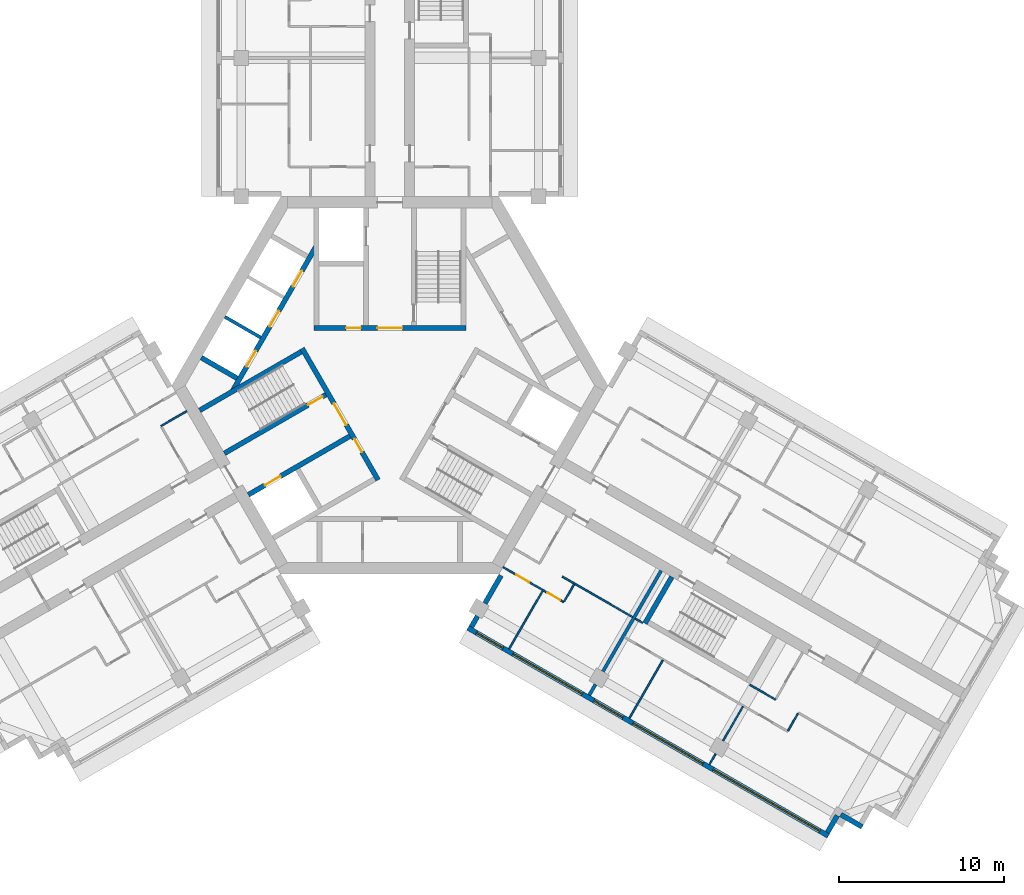
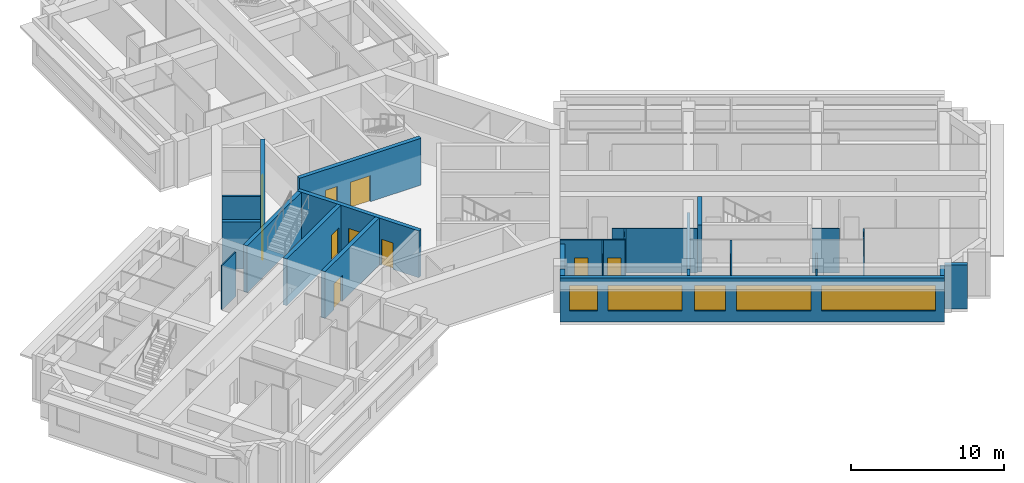
# One storey, part 4 of 10: 27 walls, 11 doors, 5 windows, 16 openings.
"""IFC4 building model written with IfcOpenShell, lengths in metres."""

import ifcopenshell
import ifcopenshell.guid

model = None  # the IFC model being written
_history = None  # IfcOwnerHistory: only IFC2X3 demands one
_inside = {}  # id of a spatial element -> (the spatial element, [elements in it])
_under = {}  # id of a project, library or spatial element -> (it, [spatial elements below it])
_declared = {}  # id of a project -> (the project, [libraries it declares])
_typed = {}  # id of a type object -> (the type object, [elements of that type])
_made_of = {}  # id of a material, layer set ... -> (it, [elements and type objects made of it])


def new_model(schema):
    """Start an empty IFC model of exactly this schema.

    Asked for "IFC4X3", IfcOpenShell would pick the latest addendum, in which some entities
    have other attributes; the version numbers below select the first issue.
    IFC2X3 requires an IfcOwnerHistory on every rooted entity: one is made here for all.
    """
    global model, _history
    if schema == "IFC4X3":
        model = ifcopenshell.file(schema_version=(4, 3, 0, 0))
    else:
        model = ifcopenshell.file(schema=schema)
    _inside.clear()
    _under.clear()
    _declared.clear()
    _typed.clear()
    _made_of.clear()
    _history = None
    if model.schema == "IFC2X3":
        org = make("IfcOrganization", Name="unknown")
        user = make(
            "IfcPersonAndOrganization",
            ThePerson=make("IfcPerson", FamilyName="unknown"),
            TheOrganization=org,
        )
        app = make(
            "IfcApplication",
            ApplicationDeveloper=org,
            Version="unknown",
            ApplicationFullName="unknown",
            ApplicationIdentifier="unknown",
        )
        _history = make(
            "IfcOwnerHistory",
            OwningUser=user,
            OwningApplication=app,
            ChangeAction="ADDED",
            CreationDate=0,
        )
    return model


def make(cls, **values):
    """One entity of the class cls with the attributes given. An attribute that is None is left unset."""
    return model.create_entity(
        cls, **{name: value for name, value in values.items() if value is not None}
    )


def rooted(cls, **values):
    """An entity with a GlobalId (a new one), such as an element, a storey or a relation."""
    return make(cls, GlobalId=ifcopenshell.guid.new(), OwnerHistory=_history, **values)


def si_unit(unit_type, name, prefix=None):
    """IfcSIUnit, for example si_unit("LENGTHUNIT", "METRE", prefix="MILLI")."""
    return make("IfcSIUnit", UnitType=unit_type, Prefix=prefix, Name=name)


def assignment(units):
    """IfcUnitAssignment: the units of a project."""
    return None if units is None else make("IfcUnitAssignment", Units=units)


def point(xyz):
    """IfcCartesianPoint."""
    return None if xyz is None else make("IfcCartesianPoint", Coordinates=xyz)


def direction(xyz):
    """IfcDirection."""
    return None if xyz is None else make("IfcDirection", DirectionRatios=xyz)


def frame(location, z_axis=None, x_axis=None):
    """IfcAxis2Placement3D, a coordinate frame: its origin and axes. An axis left out is left unset."""
    return make(
        "IfcAxis2Placement3D",
        Location=point(location),
        Axis=direction(z_axis),
        RefDirection=direction(x_axis),
    )


def frame_2d(location, x_axis=None):
    """IfcAxis2Placement2D, a coordinate frame in the plane: its origin and x axis."""
    return make(
        "IfcAxis2Placement2D", Location=point(location), RefDirection=direction(x_axis)
    )


def origin():
    """The frame at (0, 0, 0) with its axes left unset."""
    return frame((0.0, 0.0, 0.0))


def place(relative_to, where):
    """IfcLocalPlacement: puts the frame where relative to a parent placement (None: the world)."""
    return make(
        "IfcLocalPlacement", PlacementRelTo=relative_to, RelativePlacement=where
    )


def context(
    kind, dimensions, precision=None, world=None, true_north=None, identifier=None
):
    """IfcGeometricRepresentationContext, for example the 3D "Model" context."""
    return make(
        "IfcGeometricRepresentationContext",
        ContextIdentifier=identifier,
        ContextType=kind,
        CoordinateSpaceDimension=dimensions,
        Precision=precision,
        WorldCoordinateSystem=world,
        TrueNorth=true_north,
    )


def subcontext(parent, identifier, kind, view, scale=None):
    """IfcGeometricRepresentationSubContext, for example "Body" below "Model"."""
    return make(
        "IfcGeometricRepresentationSubContext",
        ContextIdentifier=identifier,
        ContextType=kind,
        ParentContext=parent,
        TargetScale=scale,
        TargetView=view,
    )


def project(units=None, contexts=None):
    """IfcProject with its units and contexts."""
    return rooted(
        "IfcProject",
        Name="project",
        RepresentationContexts=contexts,
        UnitsInContext=assignment(units),
    )


def spatial(cls, under=None, at=None, **own):
    """A site, building, storey or space (cls), placed at a placement, below another one or the project."""
    s = rooted(cls, ObjectPlacement=at, **own)
    if under is not None:
        _under.setdefault(under.id(), (under, []))[1].append(s)
    return s


def profile(cls, at=None, kind="AREA", **sizes):
    """A parametric profile (cls). Its sizes go by their IFC names, for example OverallWidth=200.0."""
    return make(cls, ProfileType=kind, Position=at, **sizes)


def rectangle(**sizes):
    """IfcRectangleProfileDef."""
    return profile("IfcRectangleProfileDef", **sizes)


def extrude(swept, where, along, depth):
    """IfcExtrudedAreaSolid: the profile swept, set in the frame where, extruded along a direction by depth."""
    return make(
        "IfcExtrudedAreaSolid",
        SweptArea=swept,
        Position=where,
        ExtrudedDirection=direction(along),
        Depth=depth,
    )


def shape(context_of_items, identifier, shape_type, items):
    """IfcShapeRepresentation: the items that make up one representation, for example the "Body"."""
    return make(
        "IfcShapeRepresentation",
        ContextOfItems=context_of_items,
        RepresentationIdentifier=identifier,
        RepresentationType=shape_type,
        Items=items,
    )


def material(Name=None, Category=None):
    """IfcMaterial."""
    return make("IfcMaterial", Name=Name, Category=Category)


def layer(
    of_material, thickness, ventilated=None, Name=None, Category=None, Priority=None
):
    """IfcMaterialLayer: one layer of a wall or slab, of a material (None: an air gap)."""
    return make(
        "IfcMaterialLayer",
        Material=of_material,
        LayerThickness=thickness,
        IsVentilated=ventilated,
        Name=Name,
        Category=Category,
        Priority=Priority,
    )


def layer_set(layers, Name=None):
    """IfcMaterialLayerSet."""
    return make("IfcMaterialLayerSet", MaterialLayers=layers, LayerSetName=Name)


def made_of(thing, what):
    """Note that an element or type object is made of a material, layer set ...; save() writes the relation."""
    if what is not None:
        _made_of.setdefault(what.id(), (what, []))[1].append(thing)
    return thing


def type_object(cls, material=None, **own):
    """A type object (cls), such as IfcWallType, which elements share."""
    return made_of(rooted(cls, **own), material)


def element(
    cls,
    number,
    at=None,
    inside=None,
    cuts=None,
    type_object=None,
    material=None,
    context=None,
    identifier="Body",
    shape_type=None,
    held_by="IfcProductDefinitionShape",
    body=None,
    shapes=None,
    **own,
):
    """One element of the class cls, such as IfcWall. Its Tag is "e" and its number.

    at: its placement. inside: the storey or other place that contains it. cuts: it is an
    opening in that element (IfcRelVoidsElement). A single representation is given by context,
    identifier, shape_type and body (its items); several are given by shapes. held_by: the class
    of the entity that holds the representations. save() writes the other relations.
    """
    e = rooted(cls, Tag="e%d" % number, ObjectPlacement=at, **own)
    if body is not None:
        shapes = [shape(context, identifier, shape_type, body)]
    if shapes is not None:
        e.Representation = make(held_by, Representations=shapes)
    if inside is not None:
        _inside.setdefault(inside.id(), (inside, []))[1].append(e)
    if cuts is not None:
        rooted(
            "IfcRelVoidsElement", RelatingBuildingElement=cuts, RelatedOpeningElement=e
        )
    if type_object is not None:
        _typed.setdefault(type_object.id(), (type_object, []))[1].append(e)
    return made_of(e, material)


def fill(opening, filler):
    """IfcRelFillsElement: the door or window that sits in an opening."""
    return rooted(
        "IfcRelFillsElement",
        RelatingOpeningElement=opening,
        RelatedBuildingElement=filler,
    )


def aggregate(whole, parts):
    """IfcRelAggregates: a whole, such as a stair, and the parts it consists of."""
    return rooted("IfcRelAggregates", RelatingObject=whole, RelatedObjects=parts)


def save(model, path):
    """Write the relations noted so far, then the file.

    IfcRelAggregates (storeys below a building ...), IfcRelContainedInSpatialStructure (elements
    in a storey), IfcRelDefinesByType, IfcRelAssociatesMaterial and IfcRelDeclares: one each for
    every whole, place, type object, material and project.
    """
    for whole, parts in _under.values():
        aggregate(whole, parts)
    for where, things in _inside.values():
        rooted(
            "IfcRelContainedInSpatialStructure",
            RelatedElements=things,
            RelatingStructure=where,
        )
    for kind, things in _typed.values():
        rooted("IfcRelDefinesByType", RelatedObjects=things, RelatingType=kind)
    for what, things in _made_of.values():
        rooted("IfcRelAssociatesMaterial", RelatedObjects=things, RelatingMaterial=what)
    for by, libraries in _declared.values():
        rooted("IfcRelDeclares", RelatingContext=by, RelatedDefinitions=libraries)
    model.write(path)


model = new_model("IFC4")

# Units and contexts
model_context = context("Model", 3, precision=1e-05, world=origin(), true_north=direction((0.0, 1.0)))
body_context = subcontext(model_context, "Body", "Model", "MODEL_VIEW")
ifc_project = project(units=[si_unit("LENGTHUNIT", "METRE"), si_unit("AREAUNIT", "SQUARE_METRE"), si_unit("VOLUMEUNIT", "CUBIC_METRE"), si_unit("PLANEANGLEUNIT", "RADIAN"), si_unit("MASSUNIT", "GRAM", prefix="KILO")], contexts=[model_context])

# Site, building, storey
site_placement = place(None, origin())
site = spatial("IfcSite", under=ifc_project, at=site_placement, CompositionType="ELEMENT")
building_placement = place(site_placement, origin())
building = spatial("IfcBuilding", under=site, at=building_placement, Name="Impinga Residences", CompositionType="ELEMENT")
storey_placement = place(building_placement, frame((0.0, 0.0, 226.0)))
storey = spatial("IfcBuildingStorey", under=building, at=storey_placement, Name="L56", CompositionType="ELEMENT", Elevation=226.0)

# Walls
ifc_material_1 = material(Name="Terracotta rainscreen on blockwork", Category="masonry")
ifc_layer_1 = layer(ifc_material_1, 0.300048828125)
ifc_layer_set_1 = layer_set([ifc_layer_1], Name="EW1 external wall, terracotta rainscreen on blockwork 300")
wall_type_1 = type_object("IfcWallType", Name="EW1 external wall, terracotta rainscreen on blockwork 300", PredefinedType="SOLIDWALL", material=ifc_layer_set_1)
wall_1_placement = place(storey_placement, frame((28.597900390625, -26.72998046875, 0.0), z_axis=(0.0, 0.0, 1.0), x_axis=(-0.866031096941, 0.499990139034, 0.0)))
element("IfcWall", 1, at=wall_1_placement, inside=storey, type_object=wall_type_1, Name="External wall EW1 L56", PredefinedType="SOLIDWALL", context=body_context, shape_type="SweptSolid", body=[
    extrude(rectangle(XDim=1.5, YDim=0.300048828125, at=frame_2d((0.75, 0.0))), origin(), (0.0, 0.0, 1.0), 3.530029296875),
])
wall_2_placement = place(storey_placement, frame((27.091552734375, -26.039306640625, 0.0), z_axis=(0.0, 0.0, 1.0), x_axis=(-0.500093796661, -0.865971243484, 0.0)))
element("IfcWall", 2, at=wall_2_placement, inside=storey, type_object=wall_type_1, Name="External wall EW1 L56", PredefinedType="SOLIDWALL", context=body_context, shape_type="SweptSolid", body=[
    extrude(rectangle(XDim=1.195068359375, YDim=0.300048828125, at=frame_2d((0.59765625, 0.0))), origin(), (0.0, 0.0, 1.0), 3.530029296875),
])

# Wall, openings, windows
wall_3_placement = place(storey_placement, frame((26.548828125, -27.279052734375, 0.0), z_axis=(0.0, 0.0, 1.0), x_axis=(-0.866026832479, 0.499997525421, 0.0)))
wall_3 = element("IfcWall", 3, at=wall_3_placement, inside=storey, type_object=wall_type_1, Name="External wall EW1 L56", PredefinedType="SOLIDWALL", context=body_context, shape_type="SweptSolid", body=[
    extrude(rectangle(XDim=25.199951171875, YDim=0.300048828125, at=frame_2d((12.60009765625, 0.0))), origin(), (0.0, 0.0, 1.0), 3.530029296875),
])
opening_1_placement = place(wall_3_placement, frame((0.60009765625, 0.0, 0.89990234375)))
opening_1 = element("IfcOpeningElement", 4, at=opening_1_placement, cuts=wall_3, Name="Opening W7", PredefinedType="OPENING", context=body_context, shape_type="SweptSolid", body=[
    extrude(rectangle(XDim=7.449951171875, YDim=2.050048828125, at=frame_2d((3.72509765625, 1.02490234375))), frame((0.0, 0.159912109375, 0.0), z_axis=(0.0, -1.0, 0.0), x_axis=(1.0, 0.0, 0.0)), (0.0, 0.0, 1.0), 0.320068359375),
])
opening_2_placement = place(wall_3_placement, frame((8.75, 0.0, 0.89990234375)))
opening_2 = element("IfcOpeningElement", 5, at=opening_2_placement, cuts=wall_3, Name="Opening W16", PredefinedType="OPENING", context=body_context, shape_type="SweptSolid", body=[
    extrude(rectangle(XDim=4.89990234375, YDim=2.050048828125, at=frame_2d((2.449951171875, 1.02490234375))), frame((0.0, 0.159912109375, 0.0), z_axis=(0.0, -1.0, 0.0), x_axis=(1.0, 0.0, 0.0)), (0.0, 0.0, 1.0), 0.320068359375),
])
opening_3_placement = place(wall_3_placement, frame((14.35009765625, 0.0, 0.89990234375)))
opening_3 = element("IfcOpeningElement", 6, at=opening_3_placement, cuts=wall_3, Name="Opening W14", PredefinedType="OPENING", context=body_context, shape_type="SweptSolid", body=[
    extrude(rectangle(XDim=2.050048828125, YDim=2.050048828125, at=frame_2d((1.02490234375, 1.02490234375))), frame((0.0, 0.159912109375, 0.0), z_axis=(0.0, -1.0, 0.0), x_axis=(1.0, 0.0, 0.0)), (0.0, 0.0, 1.0), 0.320068359375),
])
opening_4_placement = place(wall_3_placement, frame((17.199951171875, 0.0, 0.89990234375)))
opening_4 = element("IfcOpeningElement", 7, at=opening_4_placement, cuts=wall_3, Name="Opening W6", PredefinedType="OPENING", context=body_context, shape_type="SweptSolid", body=[
    extrude(rectangle(XDim=4.85009765625, YDim=2.050048828125, at=frame_2d((2.425048828125, 1.02490234375))), frame((0.0, 0.159912109375, 0.0), z_axis=(0.0, -1.0, 0.0), x_axis=(1.0, 0.0, 0.0)), (0.0, 0.0, 1.0), 0.320068359375),
])
opening_5_placement = place(wall_3_placement, frame((22.75, 0.0, 0.89990234375)))
opening_5 = element("IfcOpeningElement", 8, at=opening_5_placement, cuts=wall_3, Name="Opening W15", PredefinedType="OPENING", context=body_context, shape_type="SweptSolid", body=[
    extrude(rectangle(XDim=1.85009765625, YDim=2.050048828125, at=frame_2d((0.925048828125, 1.02490234375))), frame((0.0, 0.159912109375, 0.0), z_axis=(0.0, -1.0, 0.0), x_axis=(1.0, 0.0, 0.0)), (0.0, 0.0, 1.0), 0.320068359375),
])
ifc_material_2 = material(Name="Aluminium window, clear double glazing", Category="aluminium")
window_type_1 = type_object("IfcWindowType", Name="W14 ribbon window 2050x2050", PartitioningType="SINGLE_PANEL", PredefinedType="WINDOW", material=ifc_material_2)
window_1_placement = place(opening_3_placement, origin())
window_1 = element("IfcWindow", 9, at=window_1_placement, inside=storey, type_object=window_type_1, Name="Window L56", OverallHeight=2.050048828125, OverallWidth=2.050048828125, PartitioningType="SINGLE_PANEL", PredefinedType="WINDOW", context=body_context, shape_type="SweptSolid", body=[
    extrude(rectangle(XDim=2.050048828125, YDim=2.050048828125, at=frame_2d((1.02490234375, 1.02490234375))), frame((0.0, 0.030029296875, 0.0), z_axis=(0.0, -1.0, 0.0), x_axis=(1.0, 0.0, 0.0)), (0.0, 0.0, 1.0), 0.06005859375),
])
fill(opening_3, window_1)
window_type_2 = type_object("IfcWindowType", Name="W15 ribbon window 1850x2050", PartitioningType="SINGLE_PANEL", PredefinedType="WINDOW", material=ifc_material_2)
window_2_placement = place(opening_5_placement, origin())
window_2 = element("IfcWindow", 10, at=window_2_placement, inside=storey, type_object=window_type_2, Name="Window L56", OverallHeight=2.050048828125, OverallWidth=1.85009765625, PartitioningType="SINGLE_PANEL", PredefinedType="WINDOW", context=body_context, shape_type="SweptSolid", body=[
    extrude(rectangle(XDim=1.85009765625, YDim=2.050048828125, at=frame_2d((0.925048828125, 1.02490234375))), frame((0.0, 0.030029296875, 0.0), z_axis=(0.0, -1.0, 0.0), x_axis=(1.0, 0.0, 0.0)), (0.0, 0.0, 1.0), 0.06005859375),
])
fill(opening_5, window_2)
window_type_3 = type_object("IfcWindowType", Name="W16 ribbon window 4900x2050", PartitioningType="SINGLE_PANEL", PredefinedType="WINDOW", material=ifc_material_2)
window_3_placement = place(opening_2_placement, origin())
window_3 = element("IfcWindow", 11, at=window_3_placement, inside=storey, type_object=window_type_3, Name="Window L56", OverallHeight=2.050048828125, OverallWidth=4.89990234375, PartitioningType="SINGLE_PANEL", PredefinedType="WINDOW", context=body_context, shape_type="SweptSolid", body=[
    extrude(rectangle(XDim=4.89990234375, YDim=2.050048828125, at=frame_2d((2.449951171875, 1.02490234375))), frame((0.0, 0.030029296875, 0.0), z_axis=(0.0, -1.0, 0.0), x_axis=(1.0, 0.0, 0.0)), (0.0, 0.0, 1.0), 0.06005859375),
])
fill(opening_2, window_3)
window_type_4 = type_object("IfcWindowType", Name="W6 ribbon window 4850x2050", PartitioningType="SINGLE_PANEL", PredefinedType="WINDOW", material=ifc_material_2)
window_4_placement = place(opening_4_placement, origin())
window_4 = element("IfcWindow", 12, at=window_4_placement, inside=storey, type_object=window_type_4, Name="Window L56", OverallHeight=2.050048828125, OverallWidth=4.85009765625, PartitioningType="SINGLE_PANEL", PredefinedType="WINDOW", context=body_context, shape_type="SweptSolid", body=[
    extrude(rectangle(XDim=4.85009765625, YDim=2.050048828125, at=frame_2d((2.425048828125, 1.02490234375))), frame((0.0, 0.030029296875, 0.0), z_axis=(0.0, -1.0, 0.0), x_axis=(1.0, 0.0, 0.0)), (0.0, 0.0, 1.0), 0.06005859375),
])
fill(opening_4, window_4)
window_type_5 = type_object("IfcWindowType", Name="W7 ribbon window 7450x2050", PartitioningType="SINGLE_PANEL", PredefinedType="WINDOW", material=ifc_material_2)
window_5_placement = place(opening_1_placement, origin())
window_5 = element("IfcWindow", 13, at=window_5_placement, inside=storey, type_object=window_type_5, Name="Window L56", OverallHeight=2.050048828125, OverallWidth=7.449951171875, PartitioningType="SINGLE_PANEL", PredefinedType="WINDOW", context=body_context, shape_type="SweptSolid", body=[
    extrude(rectangle(XDim=7.449951171875, YDim=2.050048828125, at=frame_2d((3.72509765625, 1.02490234375))), frame((0.0, 0.030029296875, 0.0), z_axis=(0.0, -1.0, 0.0), x_axis=(1.0, 0.0, 0.0)), (0.0, 0.0, 1.0), 0.06005859375),
])
fill(opening_1, window_5)

# Walls
wall_4_placement = place(storey_placement, frame((4.929931640625, -14.624267578125, 0.0), z_axis=(0.0, 0.0, 1.0), x_axis=(0.499919672301, 0.866071776036, 0.0)))
element("IfcWall", 14, at=wall_4_placement, inside=storey, type_object=wall_type_1, Name="External wall EW1 L56", PredefinedType="SOLIDWALL", context=body_context, shape_type="SweptSolid", body=[
    extrude(rectangle(XDim=0.75, YDim=0.300048828125, at=frame_2d((0.375, 0.0))), origin(), (0.0, 0.0, 1.0), 3.530029296875),
])
wall_5_placement = place(storey_placement, frame((5.7548828125, -13.1953125, 0.0), z_axis=(0.0, 0.0, 1.0), x_axis=(0.500043961785, 0.866000020948, 0.0)))
element("IfcWall", 15, at=wall_5_placement, inside=storey, type_object=wall_type_1, Name="External wall EW1 L56", PredefinedType="SOLIDWALL", context=body_context, shape_type="SweptSolid", body=[
    extrude(rectangle(XDim=1.949951171875, YDim=0.300048828125, at=frame_2d((0.97509765625, 0.0))), origin(), (0.0, 0.0, 1.0), 3.530029296875),
])
ifc_material_3 = material(Name="Gypsum board on steel studs", Category="steel")
ifc_layer_2 = layer(ifc_material_3, 0.10009765625)
ifc_layer_set_2 = layer_set([ifc_layer_2], Name="Gypsum board on steel studs")
wall_type_2 = type_object("IfcWallType", Name="IP1 partition 100", PredefinedType="PARTITIONING", material=ifc_layer_set_2)
wall_6_placement = place(storey_placement, frame((-12.300048828125, -1.558837890625, 0.0), z_axis=(0.0, 0.0, 1.0), x_axis=(-0.866047807691, -0.499961193289, 0.0)))
element("IfcWall", 16, at=wall_6_placement, inside=storey, type_object=wall_type_2, Name="Partition L56-WF1:DIV0", PredefinedType="PARTITIONING", context=body_context, shape_type="SweptSolid", body=[
    extrude(rectangle(XDim=1.800048828125, YDim=0.10009765625, at=frame_2d((0.89990234375, 0.0))), origin(), (0.0, 0.0, 1.0), 3.530029296875),
])
wall_7_placement = place(storey_placement, frame((10.444580078125, -11.57275390625, 0.0), z_axis=(0.0, 0.0, 1.0), x_axis=(0.866023786258, -0.500002801628, 0.0)))
element("IfcWall", 17, at=wall_7_placement, inside=storey, type_object=wall_type_2, Name="Partition L56-EF1:DIV1", PredefinedType="PARTITIONING", context=body_context, shape_type="SweptSolid", body=[
    extrude(rectangle(XDim=4.89990234375, YDim=0.10009765625, at=frame_2d((2.449951171875, 0.0))), origin(), (0.0, 0.0, 1.0), 3.530029296875),
])

# Wall, openings, doors
wall_8_placement = place(storey_placement, frame((6.85009765625, -10.99853515625, 0.0), z_axis=(0.0, 0.0, 1.0), x_axis=(0.866014341725, -0.50001915956, 0.0)))
wall_8 = element("IfcWall", 18, at=wall_8_placement, inside=storey, type_object=wall_type_2, Name="Partition L56-EF1:STRIP", PredefinedType="PARTITIONING", context=body_context, shape_type="SweptSolid", body=[
    extrude(rectangle(XDim=4.249755859375, YDim=0.10009765625, at=frame_2d((2.125, 0.0))), origin(), (0.0, 0.0, 1.0), 3.530029296875),
])
opening_6_placement = place(wall_8_placement, frame((0.925048828125, 0.0, 0.0)))
opening_6 = element("IfcOpeningElement", 19, at=opening_6_placement, cuts=wall_8, Name="Opening D2", PredefinedType="OPENING", context=body_context, shape_type="SweptSolid", body=[
    extrude(rectangle(XDim=0.89990234375, YDim=2.10009765625, at=frame_2d((0.449951171875, 1.050048828125))), frame((0.0, 0.06005859375, 0.0), z_axis=(0.0, -1.0, 0.0), x_axis=(1.0, 0.0, 0.0)), (0.0, 0.0, 1.0), 0.1201171875),
])
opening_7_placement = place(wall_8_placement, frame((3.10009765625, 0.0, 0.0)))
opening_7 = element("IfcOpeningElement", 20, at=opening_7_placement, cuts=wall_8, Name="Opening D2", PredefinedType="OPENING", context=body_context, shape_type="SweptSolid", body=[
    extrude(rectangle(XDim=0.89990234375, YDim=2.10009765625, at=frame_2d((0.449951171875, 1.050048828125))), frame((0.0, 0.06005859375, 0.0), z_axis=(0.0, -1.0, 0.0), x_axis=(1.0, 0.0, 0.0)), (0.0, 0.0, 1.0), 0.1201171875),
])
ifc_material_4 = material(Name="Timber door set", Category="wood")
door_type_1 = type_object("IfcDoorType", Name="D2 internal door 900x2100", OperationType="SINGLE_SWING_LEFT", PredefinedType="DOOR", material=ifc_material_4)
door_1_placement = place(opening_6_placement, origin())
door_1 = element("IfcDoor", 21, at=door_1_placement, inside=storey, type_object=door_type_1, Name="Apartment L56-EF1 room door", OperationType="SINGLE_SWING_LEFT", OverallHeight=2.10009765625, OverallWidth=0.89990234375, PredefinedType="DOOR", context=body_context, shape_type="SweptSolid", body=[
    extrude(rectangle(XDim=0.89990234375, YDim=2.10009765625, at=frame_2d((0.449951171875, 1.050048828125))), frame((0.0, 0.02490234375, 0.0), z_axis=(0.0, -1.0, 0.0), x_axis=(1.0, 0.0, 0.0)), (0.0, 0.0, 1.0), 0.050048828125),
])
fill(opening_6, door_1)
door_2_placement = place(opening_7_placement, origin())
door_2 = element("IfcDoor", 22, at=door_2_placement, inside=storey, type_object=door_type_1, Name="Apartment L56-EF1 room door", OperationType="SINGLE_SWING_RIGHT", OverallHeight=2.10009765625, OverallWidth=0.89990234375, PredefinedType="DOOR", context=body_context, shape_type="SweptSolid", body=[
    extrude(rectangle(XDim=0.89990234375, YDim=2.10009765625, at=frame_2d((0.449951171875, 1.050048828125))), frame((0.0, 0.02490234375, 0.0), z_axis=(0.0, -1.0, 0.0), x_axis=(1.0, 0.0, 0.0)), (0.0, 0.0, 1.0), 0.050048828125),
])
fill(opening_7, door_2)

# Walls
wall_9_placement = place(storey_placement, frame((11.155517578125, -12.041015625, 0.0), z_axis=(0.0, 0.0, 1.0), x_axis=(-0.499880961361, -0.866094119867, 0.0)))
element("IfcWall", 23, at=wall_9_placement, inside=storey, type_object=wall_type_2, Name="Partition L56-EF1:SE1", PredefinedType="PARTITIONING", context=body_context, shape_type="SweptSolid", body=[
    extrude(rectangle(XDim=1.199951171875, YDim=0.10009765625, at=frame_2d((0.60009765625, 0.0))), origin(), (0.0, 0.0, 1.0), 3.530029296875),
])
wall_10_placement = place(storey_placement, frame((9.249755859375, -12.44189453125, 0.0), z_axis=(0.0, 0.0, 1.0), x_axis=(-0.499990325971, -0.866030989016, 0.0)))
element("IfcWall", 24, at=wall_10_placement, inside=storey, type_object=wall_type_2, Name="Partition L56-EF1:OB1", PredefinedType="PARTITIONING", context=body_context, shape_type="SweptSolid", body=[
    extrude(rectangle(XDim=4.0498046875, YDim=0.10009765625, at=frame_2d((2.02490234375, 0.0))), origin(), (0.0, 0.0, 1.0), 3.530029296875),
])
wall_11_placement = place(storey_placement, frame((14.861328125, -14.122802734375, 0.0), z_axis=(0.0, 0.0, 1.0), x_axis=(0.865949687125, -0.500131122175, 0.0)))
element("IfcWall", 25, at=wall_11_placement, inside=storey, type_object=wall_type_2, Name="Partition L56-EF2:DIV0", PredefinedType="PARTITIONING", context=body_context, shape_type="SweptSolid", body=[
    extrude(rectangle(XDim=0.499755859375, YDim=0.10009765625, at=frame_2d((0.25, 0.0))), origin(), (0.0, 0.0, 1.0), 3.530029296875),
])
wall_12_placement = place(storey_placement, frame((21.789306640625, -18.122802734375, 0.0), z_axis=(0.0, 0.0, 1.0), x_axis=(0.866047807691, -0.499961193289, 0.0)))
element("IfcWall", 26, at=wall_12_placement, inside=storey, type_object=wall_type_2, Name="Partition L56-EF2:DIV1", PredefinedType="PARTITIONING", context=body_context, shape_type="SweptSolid", body=[
    extrude(rectangle(XDim=1.800048828125, YDim=0.10009765625, at=frame_2d((0.89990234375, 0.0))), origin(), (0.0, 0.0, 1.0), 3.530029296875),
])
wall_13_placement = place(storey_placement, frame((24.708984375, -19.865966796875, 0.0), z_axis=(0.0, 0.0, 1.0), x_axis=(-0.500033551112, -0.866006032174, 0.0)))
element("IfcWall", 27, at=wall_13_placement, inside=storey, type_object=wall_type_2, Name="Partition L56-EF2:SE1", PredefinedType="PARTITIONING", context=body_context, shape_type="SweptSolid", body=[
    extrude(rectangle(XDim=1.2001953125, YDim=0.10009765625, at=frame_2d((0.60009765625, 0.0))), origin(), (0.0, 0.0, 1.0), 3.530029296875),
])
wall_14_placement = place(storey_placement, frame((16.5244140625, -16.641845703125, 0.0), z_axis=(0.0, 0.0, 1.0), x_axis=(-0.499990325971, -0.866030989016, 0.0)))
element("IfcWall", 28, at=wall_14_placement, inside=storey, type_object=wall_type_2, Name="Partition L56-EF2:OB1", PredefinedType="PARTITIONING", context=body_context, shape_type="SweptSolid", body=[
    extrude(rectangle(XDim=4.0498046875, YDim=0.10009765625, at=frame_2d((2.02490234375, 0.0))), origin(), (0.0, 0.0, 1.0), 3.530029296875),
])
wall_15_placement = place(storey_placement, frame((21.374267578125, -19.44189453125, 0.0), z_axis=(0.0, 0.0, 1.0), x_axis=(-0.500001309137, -0.866024647952, 0.0)))
element("IfcWall", 29, at=wall_15_placement, inside=storey, type_object=wall_type_2, Name="Partition L56-EF2:OB2", PredefinedType="PARTITIONING", context=body_context, shape_type="SweptSolid", body=[
    extrude(rectangle(XDim=2.39990234375, YDim=0.10009765625, at=frame_2d((1.199951171875, 0.0))), origin(), (0.0, 0.0, 1.0), 2.47998046875),
])
wall_16_placement = place(storey_placement, frame((19.72412109375, -22.2998046875, 0.0), z_axis=(0.0, 0.0, 1.0), x_axis=(-0.500060622324, -0.86599040064, 0.0)))
element("IfcWall", 30, at=wall_16_placement, inside=storey, type_object=wall_type_2, Name="Partition L56-EF2:OB2b", PredefinedType="PARTITIONING", context=body_context, shape_type="SweptSolid", body=[
    extrude(rectangle(XDim=0.75, YDim=0.10009765625, at=frame_2d((0.375, 0.0))), origin(), (0.0, 0.0, 1.0), 3.530029296875),
])
ifc_material_5 = material(Name="Concrete blockwork", Category="masonry")
ifc_layer_3 = layer(ifc_material_5, 0.199951171875)
ifc_layer_set_3 = layer_set([ifc_layer_3], Name="PW1 party wall between apartments 200")
wall_type_3 = type_object("IfcWallType", Name="PW1 party wall between apartments 200", PredefinedType="SOLIDWALL", material=ifc_layer_set_3)
wall_17_placement = place(storey_placement, frame((16.424560546875, -11.21484375, 0.0), z_axis=(0.0, 0.0, 1.0), x_axis=(-0.499990246421, -0.866031034943, 0.0)))
element("IfcWall", 31, at=wall_17_placement, inside=storey, type_object=wall_type_3, Name="Party wall between apartments L56-EF1:PARTY", PredefinedType="SOLIDWALL", context=body_context, shape_type="SweptSolid", body=[
    extrude(rectangle(XDim=7.050048828125, YDim=0.199951171875, at=frame_2d((3.52490234375, 0.0))), origin(), (0.0, 0.0, 1.0), 2.47998046875),
])
wall_18_placement = place(storey_placement, frame((12.44970703125, -18.099609375, 0.0), z_axis=(0.0, 0.0, 1.0), x_axis=(-0.499919672301, -0.866071776036, 0.0)))
element("IfcWall", 32, at=wall_18_placement, inside=storey, type_object=wall_type_3, Name="Party wall between apartments L56-EF1:PARTYb", PredefinedType="SOLIDWALL", context=body_context, shape_type="SweptSolid", body=[
    extrude(rectangle(XDim=0.75, YDim=0.199951171875, at=frame_2d((0.375, 0.0))), origin(), (0.0, 0.0, 1.0), 3.530029296875),
])
ifc_material_6 = material(Name="Concrete C60/75", Category="concrete")
ifc_layer_4 = layer(ifc_material_6, 0.300048828125)
ifc_layer_set_4 = layer_set([ifc_layer_4], Name="Concrete C60/75")
wall_type_4 = type_object("IfcWallType", Name="SE1 wing stair enclosure wall 300", PredefinedType="SOLIDWALL", material=ifc_layer_set_4)
wall_19_placement = place(storey_placement, frame((17.07421875, -11.58984375, 0.0), z_axis=(0.0, 0.0, 1.0), x_axis=(-0.500017246033, -0.866015446554, 0.0)))
element("IfcWall", 33, at=wall_19_placement, inside=storey, type_object=wall_type_4, Name="Stair enclosure wall SE1 E END0 L56", PredefinedType="SOLIDWALL", context=body_context, shape_type="SweptSolid", body=[
    extrude(rectangle(XDim=3.25, YDim=0.300048828125, at=frame_2d((1.625, 0.0))), origin(), (0.0, 0.0, 1.0), 3.75),
])

# Wall, openings, doors
ifc_material_7 = material(Name="Concrete C70/85", Category="concrete")
ifc_layer_5 = layer(ifc_material_7, 0.300048828125)
ifc_layer_set_5 = layer_set([ifc_layer_5], Name="Concrete C70/85")
wall_type_5 = type_object("IfcWallType", Name="SW5 core inner wall, stairs, shafts and lobbies 300", PredefinedType="SHEAR", material=ifc_layer_set_5)
wall_20_placement = place(storey_placement, frame((-4.60009765625, 3.47998046875, 0.0), z_axis=(0.0, 0.0, 1.0), x_axis=(1.0, 0.0, 0.0)))
wall_20 = element("IfcWall", 34, at=wall_20_placement, inside=storey, type_object=wall_type_5, Name="Core wall SW5 N:ZONE L56", PredefinedType="SHEAR", context=body_context, shape_type="SweptSolid", body=[
    extrude(rectangle(XDim=9.2001953125, YDim=0.300048828125, at=frame_2d((4.60009765625, 0.0))), origin(), (0.0, 0.0, 1.0), 3.75),
])
opening_8_placement = place(wall_20_placement, frame((3.85009765625, 0.0, 0.0)))
opening_8 = element("IfcOpeningElement", 35, at=opening_8_placement, cuts=wall_20, Name="Opening D4", PredefinedType="OPENING", context=body_context, shape_type="SweptSolid", body=[
    extrude(rectangle(XDim=1.5, YDim=2.10009765625, at=frame_2d((0.75, 1.050048828125))), frame((0.0, 0.159912109375, 0.0), z_axis=(0.0, -1.0, 0.0), x_axis=(1.0, 0.0, 0.0)), (0.0, 0.0, 1.0), 0.320068359375),
])
opening_9_placement = place(wall_20_placement, frame((1.949951171875, 0.0, 0.0)))
opening_9 = element("IfcOpeningElement", 36, at=opening_9_placement, cuts=wall_20, Name="Opening D6", PredefinedType="OPENING", context=body_context, shape_type="SweptSolid", body=[
    extrude(rectangle(XDim=0.89990234375, YDim=2.10009765625, at=frame_2d((0.449951171875, 1.050048828125))), frame((0.0, 0.159912109375, 0.0), z_axis=(0.0, -1.0, 0.0), x_axis=(1.0, 0.0, 0.0)), (0.0, 0.0, 1.0), 0.320068359375),
])
door_type_2 = type_object("IfcDoorType", Name="D4 lobby door pair 1500x2100", OperationType="DOUBLE_DOOR_DOUBLE_SWING", PredefinedType="DOOR", material=ifc_material_4)
door_3_placement = place(opening_8_placement, origin())
door_3 = element("IfcDoor", 37, at=door_3_placement, inside=storey, type_object=door_type_2, Name="Firefighting lobby door N", OperationType="DOUBLE_DOOR_DOUBLE_SWING", OverallHeight=2.10009765625, OverallWidth=1.5, PredefinedType="DOOR", context=body_context, shape_type="SweptSolid", body=[
    extrude(rectangle(XDim=1.5, YDim=2.10009765625, at=frame_2d((0.75, 1.050048828125))), frame((0.0, 0.02490234375, 0.0), z_axis=(0.0, -1.0, 0.0), x_axis=(1.0, 0.0, 0.0)), (0.0, 0.0, 1.0), 0.050048828125),
])
fill(opening_8, door_3)
door_type_3 = type_object("IfcDoorType", Name="D6 riser and store door 900x2100", OperationType="SINGLE_SWING_LEFT", PredefinedType="DOOR", material=ifc_material_4)
door_4_placement = place(opening_9_placement, origin())
door_4 = element("IfcDoor", 38, at=door_4_placement, inside=storey, type_object=door_type_3, Name="Riser door N", OperationType="SINGLE_SWING_LEFT", OverallHeight=2.10009765625, OverallWidth=0.89990234375, PredefinedType="DOOR", context=body_context, shape_type="SweptSolid", body=[
    extrude(rectangle(XDim=0.89990234375, YDim=2.10009765625, at=frame_2d((0.449951171875, 1.050048828125))), frame((0.0, 0.02490234375, 0.0), z_axis=(0.0, -1.0, 0.0), x_axis=(1.0, 0.0, 0.0)), (0.0, 0.0, 1.0), 0.050048828125),
])
fill(opening_9, door_4)

wall_21_placement = place(storey_placement, frame((-0.7138671875, -5.7236328125, 0.0), z_axis=(0.0, 0.0, 1.0), x_axis=(-0.499995050369, 0.866028261437, 0.0)))
wall_21 = element("IfcWall", 39, at=wall_21_placement, inside=storey, type_object=wall_type_5, Name="Core wall SW5 W:ZONE L56", PredefinedType="SHEAR", context=body_context, shape_type="SweptSolid", body=[
    extrude(rectangle(XDim=9.19970703125, YDim=0.300048828125, at=frame_2d((4.599853515625, 0.0))), origin(), (0.0, 0.0, 1.0), 3.75),
])
opening_10_placement = place(wall_21_placement, frame((3.85009765625, 0.0, 0.0)))
opening_10 = element("IfcOpeningElement", 40, at=opening_10_placement, cuts=wall_21, Name="Opening D4", PredefinedType="OPENING", context=body_context, shape_type="SweptSolid", body=[
    extrude(rectangle(XDim=1.5, YDim=2.10009765625, at=frame_2d((0.75, 1.050048828125))), frame((0.0, 0.159912109375, 0.0), z_axis=(0.0, -1.0, 0.0), x_axis=(1.0, 0.0, 0.0)), (0.0, 0.0, 1.0), 0.320068359375),
])
opening_11_placement = place(wall_21_placement, frame((1.949951171875, 0.0, 0.0)))
opening_11 = element("IfcOpeningElement", 41, at=opening_11_placement, cuts=wall_21, Name="Opening D6", PredefinedType="OPENING", context=body_context, shape_type="SweptSolid", body=[
    extrude(rectangle(XDim=0.89990234375, YDim=2.10009765625, at=frame_2d((0.449951171875, 1.050048828125))), frame((0.0, 0.159912109375, 0.0), z_axis=(0.0, -1.0, 0.0), x_axis=(1.0, 0.0, 0.0)), (0.0, 0.0, 1.0), 0.320068359375),
])
door_5_placement = place(opening_10_placement, origin())
door_5 = element("IfcDoor", 42, at=door_5_placement, inside=storey, type_object=door_type_2, Name="Firefighting lobby door W", OperationType="DOUBLE_DOOR_DOUBLE_SWING", OverallHeight=2.10009765625, OverallWidth=1.5, PredefinedType="DOOR", context=body_context, shape_type="SweptSolid", body=[
    extrude(rectangle(XDim=1.5, YDim=2.10009765625, at=frame_2d((0.75, 1.050048828125))), frame((0.0, 0.02490234375, 0.0), z_axis=(0.0, -1.0, 0.0), x_axis=(1.0, 0.0, 0.0)), (0.0, 0.0, 1.0), 0.050048828125),
])
fill(opening_10, door_5)
door_6_placement = place(opening_11_placement, origin())
door_6 = element("IfcDoor", 43, at=door_6_placement, inside=storey, type_object=door_type_3, Name="Riser door W", OperationType="SINGLE_SWING_LEFT", OverallHeight=2.10009765625, OverallWidth=0.89990234375, PredefinedType="DOOR", context=body_context, shape_type="SweptSolid", body=[
    extrude(rectangle(XDim=0.89990234375, YDim=2.10009765625, at=frame_2d((0.449951171875, 1.050048828125))), frame((0.0, 0.02490234375, 0.0), z_axis=(0.0, -1.0, 0.0), x_axis=(1.0, 0.0, 0.0)), (0.0, 0.0, 1.0), 0.050048828125),
])
fill(opening_11, door_6)

# Wall, opening, door
wall_22_placement = place(storey_placement, frame((-3.86865234375, -0.559326171875, 0.0), z_axis=(0.0, 0.0, 1.0), x_axis=(-0.866025859768, -0.499999210213, 0.0)))
wall_22 = element("IfcWall", 44, at=wall_22_placement, inside=storey, type_object=wall_type_5, Name="Core wall SW5 W:ST-IN L56", PredefinedType="SHEAR", context=body_context, shape_type="SweptSolid", body=[
    extrude(rectangle(XDim=7.1015625, YDim=0.300048828125, at=frame_2d((3.55078125, 0.0))), origin(), (0.0, 0.0, 1.0), 3.75),
])
opening_12_placement = place(wall_22_placement, frame((0.25, 0.0, 0.0)))
opening_12 = element("IfcOpeningElement", 45, at=opening_12_placement, cuts=wall_22, Name="Opening D5", PredefinedType="OPENING", context=body_context, shape_type="SweptSolid", body=[
    extrude(rectangle(XDim=1.0, YDim=2.10009765625, at=frame_2d((0.5, 1.050048828125))), frame((0.0, 0.159912109375, 0.0), z_axis=(0.0, -1.0, 0.0), x_axis=(1.0, 0.0, 0.0)), (0.0, 0.0, 1.0), 0.320068359375),
])
door_type_4 = type_object("IfcDoorType", Name="D5 stair door 1000x2100", OperationType="SINGLE_SWING_LEFT", PredefinedType="DOOR", material=ifc_material_4)
door_7_placement = place(opening_12_placement, origin())
door_7 = element("IfcDoor", 46, at=door_7_placement, inside=storey, type_object=door_type_4, Name="Stair door W", OperationType="SINGLE_SWING_LEFT", OverallHeight=2.10009765625, OverallWidth=1.0, PredefinedType="DOOR", context=body_context, shape_type="SweptSolid", body=[
    extrude(rectangle(XDim=1.0, YDim=2.10009765625, at=frame_2d((0.5, 1.050048828125))), frame((0.0, 0.02490234375, 0.0), z_axis=(0.0, -1.0, 0.0), x_axis=(1.0, 0.0, 0.0)), (0.0, 0.0, 1.0), 0.050048828125),
])
fill(opening_12, door_7)

# Wall
wall_23_placement = place(storey_placement, frame((-5.36865234375, 2.038818359375, 0.0), z_axis=(0.0, 0.0, 1.0), x_axis=(-0.866025859768, -0.499999210213, 0.0)))
element("IfcWall", 47, at=wall_23_placement, inside=storey, type_object=wall_type_5, Name="Core wall SW5 W:ST-OUT L56", PredefinedType="SHEAR", context=body_context, shape_type="SweptSolid", body=[
    extrude(rectangle(XDim=7.1015625, YDim=0.300048828125, at=frame_2d((3.55078125, 0.0))), origin(), (0.0, 0.0, 1.0), 3.75),
])

# Wall, opening, door
wall_24_placement = place(storey_placement, frame((-2.418701171875, -3.07080078125, 0.0), z_axis=(0.0, 0.0, 1.0), x_axis=(-0.866025859768, -0.499999210213, 0.0)))
wall_24 = element("IfcWall", 48, at=wall_24_placement, inside=storey, type_object=wall_type_5, Name="Core wall SW5 W:FF-IN L56", PredefinedType="SHEAR", context=body_context, shape_type="SweptSolid", body=[
    extrude(rectangle(XDim=7.1015625, YDim=0.300048828125, at=frame_2d((3.55078125, 0.0))), origin(), (0.0, 0.0, 1.0), 3.75),
])
opening_13_placement = place(wall_24_placement, frame((4.85009765625, 0.0, 0.0)))
opening_13 = element("IfcOpeningElement", 49, at=opening_13_placement, cuts=wall_24, Name="Opening LD2", PredefinedType="OPENING", context=body_context, shape_type="SweptSolid", body=[
    extrude(rectangle(XDim=1.10009765625, YDim=2.10009765625, at=frame_2d((0.550048828125, 1.050048828125))), frame((0.0, 0.159912109375, 0.0), z_axis=(0.0, -1.0, 0.0), x_axis=(1.0, 0.0, 0.0)), (0.0, 0.0, 1.0), 0.320068359375),
])
ifc_material_8 = material(Name="Steel lift landing door", Category="steel")
door_type_5 = type_object("IfcDoorType", Name="LD2 firefighting lift landing door 1100x2100", OperationType="DOUBLE_DOOR_SLIDING", PredefinedType="DOOR", material=ifc_material_8)
door_8_placement = place(opening_13_placement, origin())
door_8 = element("IfcDoor", 50, at=door_8_placement, inside=storey, type_object=door_type_5, Name="Firefighting lift landing door F2", OperationType="DOUBLE_DOOR_SLIDING", OverallHeight=2.10009765625, OverallWidth=1.10009765625, PredefinedType="DOOR", context=body_context, shape_type="SweptSolid", body=[
    extrude(rectangle(XDim=1.10009765625, YDim=2.10009765625, at=frame_2d((0.550048828125, 1.050048828125))), frame((0.0, 0.02490234375, 0.0), z_axis=(0.0, -1.0, 0.0), x_axis=(1.0, 0.0, 0.0)), (0.0, 0.0, 1.0), 0.050048828125),
])
fill(opening_13, door_8)

# Wall, openings, doors
wall_25_placement = place(storey_placement, frame((-9.547607421875, -0.3740234375, 0.0), z_axis=(0.0, 0.0, 1.0), x_axis=(0.500002290144, 0.866024081565, 0.0)))
wall_25 = element("IfcWall", 51, at=wall_25_placement, inside=storey, type_object=wall_type_5, Name="Core wall SW5 E:BANK-FRONT L56", PredefinedType="SHEAR", context=body_context, shape_type="SweptSolid", body=[
    extrude(rectangle(XDim=10.1953125, YDim=0.300048828125, at=frame_2d((5.09765625, 0.0))), origin(), (0.0, 0.0, 1.0), 3.75),
])
opening_14_placement = place(wall_25_placement, frame((1.74755859375, 0.0, 0.0)))
opening_14 = element("IfcOpeningElement", 52, at=opening_14_placement, cuts=wall_25, Name="Opening LD1", PredefinedType="OPENING", context=body_context, shape_type="SweptSolid", body=[
    extrude(rectangle(XDim=1.10009765625, YDim=2.10009765625, at=frame_2d((0.550048828125, 1.050048828125))), frame((0.0, 0.159912109375, 0.0), z_axis=(0.0, -1.0, 0.0), x_axis=(1.0, 0.0, 0.0)), (0.0, 0.0, 1.0), 0.320068359375),
])
opening_15_placement = place(wall_25_placement, frame((4.547607421875, 0.0, 0.0)))
opening_15 = element("IfcOpeningElement", 53, at=opening_15_placement, cuts=wall_25, Name="Opening LD1", PredefinedType="OPENING", context=body_context, shape_type="SweptSolid", body=[
    extrude(rectangle(XDim=1.10009765625, YDim=2.10009765625, at=frame_2d((0.550048828125, 1.050048828125))), frame((0.0, 0.159912109375, 0.0), z_axis=(0.0, -1.0, 0.0), x_axis=(1.0, 0.0, 0.0)), (0.0, 0.0, 1.0), 0.320068359375),
])
opening_16_placement = place(wall_25_placement, frame((7.34765625, 0.0, 0.0)))
opening_16 = element("IfcOpeningElement", 54, at=opening_16_placement, cuts=wall_25, Name="Opening LD1", PredefinedType="OPENING", context=body_context, shape_type="SweptSolid", body=[
    extrude(rectangle(XDim=1.10009765625, YDim=2.10009765625, at=frame_2d((0.550048828125, 1.050048828125))), frame((0.0, 0.159912109375, 0.0), z_axis=(0.0, -1.0, 0.0), x_axis=(1.0, 0.0, 0.0)), (0.0, 0.0, 1.0), 0.320068359375),
])
door_type_6 = type_object("IfcDoorType", Name="LD1 passenger lift landing door 1100x2100", OperationType="DOUBLE_DOOR_SLIDING", PredefinedType="DOOR", material=ifc_material_8)
door_9_placement = place(opening_14_placement, origin())
door_9 = element("IfcDoor", 55, at=door_9_placement, inside=storey, type_object=door_type_6, Name="Lift landing door P7", OperationType="DOUBLE_DOOR_SLIDING", OverallHeight=2.10009765625, OverallWidth=1.10009765625, PredefinedType="DOOR", context=body_context, shape_type="SweptSolid", body=[
    extrude(rectangle(XDim=1.10009765625, YDim=2.10009765625, at=frame_2d((0.550048828125, 1.050048828125))), frame((0.0, 0.02490234375, 0.0), z_axis=(0.0, -1.0, 0.0), x_axis=(1.0, 0.0, 0.0)), (0.0, 0.0, 1.0), 0.050048828125),
])
fill(opening_14, door_9)
door_10_placement = place(opening_15_placement, origin())
door_10 = element("IfcDoor", 56, at=door_10_placement, inside=storey, type_object=door_type_6, Name="Lift landing door P8", OperationType="DOUBLE_DOOR_SLIDING", OverallHeight=2.10009765625, OverallWidth=1.10009765625, PredefinedType="DOOR", context=body_context, shape_type="SweptSolid", body=[
    extrude(rectangle(XDim=1.10009765625, YDim=2.10009765625, at=frame_2d((0.550048828125, 1.050048828125))), frame((0.0, 0.02490234375, 0.0), z_axis=(0.0, -1.0, 0.0), x_axis=(1.0, 0.0, 0.0)), (0.0, 0.0, 1.0), 0.050048828125),
])
fill(opening_15, door_10)
door_11_placement = place(opening_16_placement, origin())
door_11 = element("IfcDoor", 57, at=door_11_placement, inside=storey, type_object=door_type_6, Name="Lift landing door P9", OperationType="DOUBLE_DOOR_SLIDING", OverallHeight=2.10009765625, OverallWidth=1.10009765625, PredefinedType="DOOR", context=body_context, shape_type="SweptSolid", body=[
    extrude(rectangle(XDim=1.10009765625, YDim=2.10009765625, at=frame_2d((0.550048828125, 1.050048828125))), frame((0.0, 0.02490234375, 0.0), z_axis=(0.0, -1.0, 0.0), x_axis=(1.0, 0.0, 0.0)), (0.0, 0.0, 1.0), 0.050048828125),
])
fill(opening_16, door_11)

# Walls
wall_26_placement = place(storey_placement, frame((-9.253662109375, 0.43505859375, 0.0), z_axis=(0.0, 0.0, 1.0), x_axis=(-0.866022959057, 0.500004234368, 0.0)))
element("IfcWall", 58, at=wall_26_placement, inside=storey, type_object=wall_type_5, Name="Core wall SW5 E:BANK-L L56", PredefinedType="SHEAR", context=body_context, shape_type="SweptSolid", body=[
    extrude(rectangle(XDim=2.5, YDim=0.300048828125, at=frame_2d((1.25, 0.0))), origin(), (0.0, 0.0, 1.0), 3.75),
])
ifc_layer_6 = layer(ifc_material_7, 0.199951171875)
ifc_layer_set_6 = layer_set([ifc_layer_6], Name="Concrete C70/85")
wall_type_6 = type_object("IfcWallType", Name="SW6 lift shaft divider wall 200", PredefinedType="SHEAR", material=ifc_layer_set_6)
wall_27_placement = place(storey_placement, frame((-7.82861328125, 2.9033203125, 0.0), z_axis=(0.0, 0.0, 1.0), x_axis=(-0.866047370643, 0.499961950354, 0.0)))
element("IfcWall", 59, at=wall_27_placement, inside=storey, type_object=wall_type_6, Name="Core wall SW6 E:BANK-D1 L56", PredefinedType="SHEAR", context=body_context, shape_type="SweptSolid", body=[
    extrude(rectangle(XDim=2.500244140625, YDim=0.199951171875, at=frame_2d((1.25, 0.0))), origin(), (0.0, 0.0, 1.0), 3.75),
])

save(model, "model.ifc")
